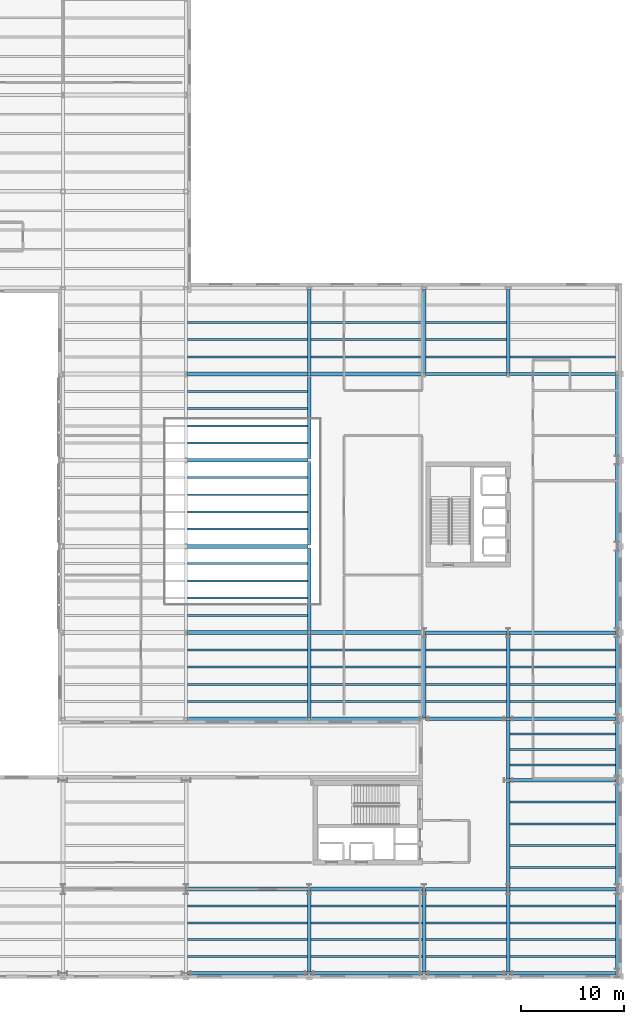
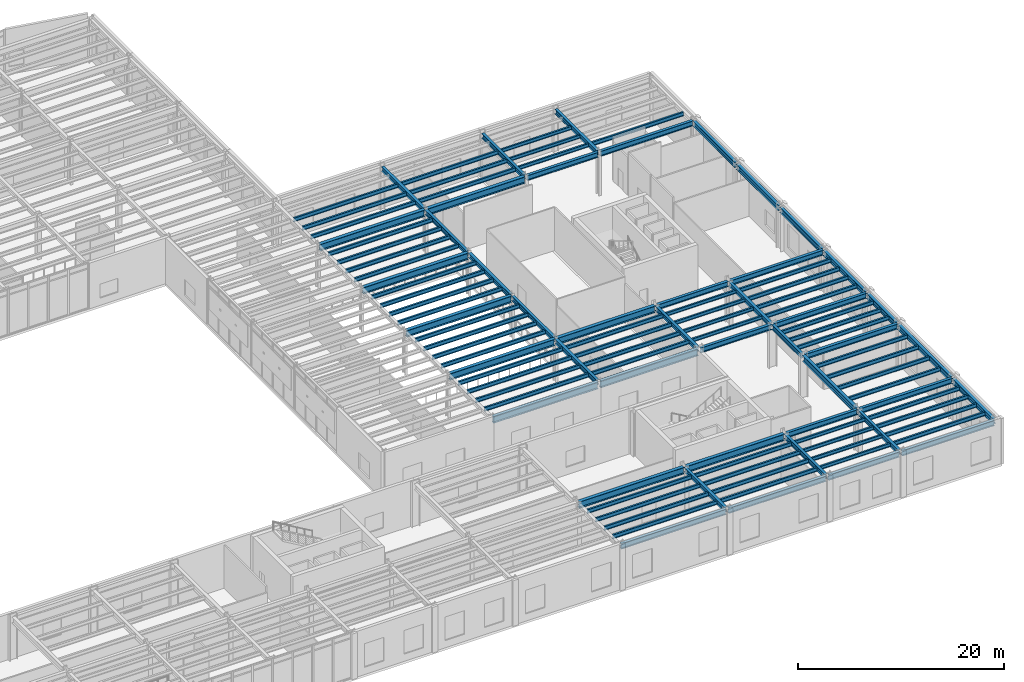
# One storey, part 66 of 98: 105 beams.
"""IFC4 building model written with IfcOpenShell, lengths in metres."""

from ifc_helpers import new_model, si_unit, direction, frame, origin, origin_2d, place, context, subcontext, project, spatial, i_section, extrude, material, material_profile, profile_set, type_object, element, save


model = new_model("IFC4")

# Units and contexts
model_context = context("Model", 3, precision=1e-05, world=origin(), true_north=direction((0.0, 1.0)))
body_context = subcontext(model_context, "Body", "Model", "MODEL_VIEW")
ifc_project = project(units=[si_unit("LENGTHUNIT", "METRE"), si_unit("AREAUNIT", "SQUARE_METRE"), si_unit("VOLUMEUNIT", "CUBIC_METRE"), si_unit("PLANEANGLEUNIT", "RADIAN"), si_unit("MASSUNIT", "GRAM", prefix="KILO")], contexts=[model_context])

# Site, building, storey
site_placement = place(None, origin())
site = spatial("IfcSite", under=ifc_project, at=site_placement, CompositionType="ELEMENT")
building_placement = place(site_placement, origin())
building = spatial("IfcBuilding", under=site, at=building_placement, Name="Sollismere Congress Hotel", CompositionType="ELEMENT")
storey_placement = place(building_placement, frame((0.0, 0.0, 5.39990234375)))
storey = spatial("IfcBuildingStorey", under=building, at=storey_placement, Name="L01", CompositionType="ELEMENT", Elevation=5.39990234375)

# Beams
ifc_material = material(Name="Steel ASTM A992 Grade 50", Category="steel")
ifc_material_profile_1 = material_profile(ifc_material, i_section(OverallWidth=0.31494140625, OverallDepth=0.551025390625, WebThickness=0.01513671875, FlangeThickness=0.0244140625, at=origin_2d()), Name="W21X122")
ifc_profile_set_1 = profile_set([ifc_material_profile_1], Name="Steel ASTM A992 Grade 50")
beam_type_1 = type_object("IfcBeamType", Name="BM-G21H", PredefinedType="BEAM", material=ifc_profile_set_1)
beam_1_placement = place(storey_placement, frame((136.0, 0.139892578125, 4.844482421875), z_axis=(0.0, 1.0, 0.0), x_axis=(-1.0, 0.0, 0.0)))
element("IfcBeam", 1, at=beam_1_placement, inside=storey, type_object=beam_type_1, Name="Beam BM-L01-1701", PredefinedType="BEAM", context=body_context, shape_type="SweptSolid", body=[
    extrude(i_section(OverallWidth=0.31494140625, OverallDepth=0.551025390625, WebThickness=0.01513671875, FlangeThickness=0.0244140625, at=origin_2d()), origin(), (0.0, 0.0, 1.0), 7.920166015625),
])
beam_2_placement = place(storey_placement, frame((136.0, 24.93994140625, 4.844482421875), z_axis=(0.0, 1.0, 0.0), x_axis=(-1.0, 0.0, 0.0)))
element("IfcBeam", 2, at=beam_2_placement, inside=storey, type_object=beam_type_1, Name="Beam BM-L01-1702", PredefinedType="BEAM", context=body_context, shape_type="SweptSolid", body=[
    extrude(i_section(OverallWidth=0.31494140625, OverallDepth=0.551025390625, WebThickness=0.01513671875, FlangeThickness=0.0244140625, at=origin_2d()), origin(), (0.0, 0.0, 1.0), 8.1201171875),
])
beam_3_placement = place(storey_placement, frame((136.0, 33.340087890625, 4.844482421875), z_axis=(0.0, 1.0, 0.0), x_axis=(-1.0, 0.0, 0.0)))
element("IfcBeam", 3, at=beam_3_placement, inside=storey, type_object=beam_type_1, Name="Beam BM-L01-1703", PredefinedType="BEAM", context=body_context, shape_type="SweptSolid", body=[
    extrude(i_section(OverallWidth=0.31494140625, OverallDepth=0.551025390625, WebThickness=0.01513671875, FlangeThickness=0.0244140625, at=origin_2d()), origin(), (0.0, 0.0, 1.0), 8.119873046875),
])
for number, where, z_axis, x_axis, name in (
    (4, (136.0, 41.739990234375, 4.844482421875), (0.0, 1.0, 0.0), (-1.0, 0.0, 0.0), "Beam BM-L01-1704"),
    (5, (136.0, 50.139892578125, 4.844482421875), (0.0, 1.0, 0.0), (-1.0, 0.0, 0.0), "Beam BM-L01-1705"),
):
    element("IfcBeam", number, at=place(storey_placement, frame(where, z_axis=z_axis, x_axis=x_axis)), inside=storey, type_object=beam_type_1, Name=name, PredefinedType="BEAM", context=body_context, shape_type="SweptSolid", body=[
        extrude(i_section(OverallWidth=0.31494140625, OverallDepth=0.551025390625, WebThickness=0.01513671875, FlangeThickness=0.0244140625, at=origin_2d()), origin(), (0.0, 0.0, 1.0), 8.1201171875),
    ])
beam_4_placement = place(storey_placement, frame((136.0, 58.5400390625, 4.844482421875), z_axis=(0.0, 1.0, 0.0), x_axis=(-1.0, 0.0, 0.0)))
element("IfcBeam", 6, at=beam_4_placement, inside=storey, type_object=beam_type_1, Name="Beam BM-L01-1706", PredefinedType="BEAM", context=body_context, shape_type="SweptSolid", body=[
    extrude(i_section(OverallWidth=0.31494140625, OverallDepth=0.551025390625, WebThickness=0.01513671875, FlangeThickness=0.0244140625, at=origin_2d()), origin(), (0.0, 0.0, 1.0), 8.119873046875),
])
beam_5_placement = place(storey_placement, frame((147.199951171875, 0.139892578125, 4.844482421875), z_axis=(0.0, 1.0, 0.0), x_axis=(-1.0, 0.0, 0.0)))
element("IfcBeam", 7, at=beam_5_placement, inside=storey, type_object=beam_type_1, Name="Beam BM-L01-1707", PredefinedType="BEAM", context=body_context, shape_type="SweptSolid", body=[
    extrude(i_section(OverallWidth=0.31494140625, OverallDepth=0.551025390625, WebThickness=0.01513671875, FlangeThickness=0.0244140625, at=origin_2d()), origin(), (0.0, 0.0, 1.0), 7.920166015625),
])
beam_6_placement = place(storey_placement, frame((147.199951171875, 24.93994140625, 4.844482421875), z_axis=(0.0, 1.0, 0.0), x_axis=(-1.0, 0.0, 0.0)))
element("IfcBeam", 8, at=beam_6_placement, inside=storey, type_object=beam_type_1, Name="Beam BM-L01-1708", PredefinedType="BEAM", context=body_context, shape_type="SweptSolid", body=[
    extrude(i_section(OverallWidth=0.31494140625, OverallDepth=0.551025390625, WebThickness=0.01513671875, FlangeThickness=0.0244140625, at=origin_2d()), origin(), (0.0, 0.0, 1.0), 8.1201171875),
])
beam_7_placement = place(storey_placement, frame((147.199951171875, 58.5400390625, 4.844482421875), z_axis=(0.0, 1.0, 0.0), x_axis=(-1.0, 0.0, 0.0)))
element("IfcBeam", 9, at=beam_7_placement, inside=storey, type_object=beam_type_1, Name="Beam BM-L01-1709", PredefinedType="BEAM", context=body_context, shape_type="SweptSolid", body=[
    extrude(i_section(OverallWidth=0.31494140625, OverallDepth=0.551025390625, WebThickness=0.01513671875, FlangeThickness=0.0244140625, at=origin_2d()), origin(), (0.0, 0.0, 1.0), 8.119873046875),
])
beam_8_placement = place(storey_placement, frame((155.39990234375, 0.139892578125, 4.844482421875), z_axis=(0.0, 1.0, 0.0), x_axis=(-1.0, 0.0, 0.0)))
element("IfcBeam", 10, at=beam_8_placement, inside=storey, type_object=beam_type_1, Name="Beam BM-L01-1710", PredefinedType="BEAM", context=body_context, shape_type="SweptSolid", body=[
    extrude(i_section(OverallWidth=0.31494140625, OverallDepth=0.551025390625, WebThickness=0.01513671875, FlangeThickness=0.0244140625, at=origin_2d()), origin(), (0.0, 0.0, 1.0), 7.920166015625),
])
beam_9_placement = place(storey_placement, frame((155.39990234375, 18.93994140625, 4.844482421875), z_axis=(0.0, 1.0, 0.0), x_axis=(-1.0, 0.0, 0.0)))
element("IfcBeam", 11, at=beam_9_placement, inside=storey, type_object=beam_type_1, Name="Beam BM-L01-1712", PredefinedType="BEAM", context=body_context, shape_type="SweptSolid", body=[
    extrude(i_section(OverallWidth=0.31494140625, OverallDepth=0.551025390625, WebThickness=0.01513671875, FlangeThickness=0.0244140625, at=origin_2d()), origin(), (0.0, 0.0, 1.0), 5.719970703125),
])
beam_10_placement = place(storey_placement, frame((155.39990234375, 24.93994140625, 4.844482421875), z_axis=(0.0, 1.0, 0.0), x_axis=(-1.0, 0.0, 0.0)))
element("IfcBeam", 12, at=beam_10_placement, inside=storey, type_object=beam_type_1, Name="Beam BM-L01-1713", PredefinedType="BEAM", context=body_context, shape_type="SweptSolid", body=[
    extrude(i_section(OverallWidth=0.31494140625, OverallDepth=0.551025390625, WebThickness=0.01513671875, FlangeThickness=0.0244140625, at=origin_2d()), origin(), (0.0, 0.0, 1.0), 8.1201171875),
])
beam_11_placement = place(storey_placement, frame((155.39990234375, 58.5400390625, 4.844482421875), z_axis=(0.0, 1.0, 0.0), x_axis=(-1.0, 0.0, 0.0)))
element("IfcBeam", 13, at=beam_11_placement, inside=storey, type_object=beam_type_1, Name="Beam BM-L01-1714", PredefinedType="BEAM", context=body_context, shape_type="SweptSolid", body=[
    extrude(i_section(OverallWidth=0.31494140625, OverallDepth=0.551025390625, WebThickness=0.01513671875, FlangeThickness=0.0244140625, at=origin_2d()), origin(), (0.0, 0.0, 1.0), 8.119873046875),
])
ifc_material_profile_2 = material_profile(ifc_material, i_section(OverallWidth=0.324951171875, OverallDepth=0.612060546875, WebThickness=0.0126953125, FlangeThickness=0.01904296875, at=origin_2d()), Name="W24X104")
ifc_profile_set_2 = profile_set([ifc_material_profile_2], Name="Steel ASTM A992 Grade 50")
beam_type_2 = type_object("IfcBeamType", Name="BM-G24", PredefinedType="BEAM", material=ifc_profile_set_2)
beam_12_placement = place(storey_placement, frame((147.340087890625, 8.199951171875, 4.814208984375), z_axis=(1.0, 0.0, 0.0), x_axis=(0.0, 1.0, 0.0)))
element("IfcBeam", 14, at=beam_12_placement, inside=storey, type_object=beam_type_2, Name="Beam BM-L01-1548", PredefinedType="BEAM", context=body_context, shape_type="SweptSolid", body=[
    extrude(i_section(OverallWidth=0.324951171875, OverallDepth=0.612060546875, WebThickness=0.0126953125, FlangeThickness=0.01904296875, at=origin_2d()), origin(), (0.0, 0.0, 1.0), 7.919921875),
])
for number, where, z_axis, x_axis, name in (
    (15, (155.5400390625, 8.199951171875, 4.814208984375), (1.0, 0.0, 0.0), (0.0, 1.0, 0.0), "Beam BM-L01-1549"),
    (16, (155.5400390625, 18.800048828125, 4.814208984375), (1.0, 0.0, 0.0), (0.0, 1.0, 0.0), "Beam BM-L01-1554"),
):
    element("IfcBeam", number, at=place(storey_placement, frame(where, z_axis=z_axis, x_axis=x_axis)), inside=storey, type_object=beam_type_2, Name=name, PredefinedType="BEAM", context=body_context, shape_type="SweptSolid", body=[
        extrude(i_section(OverallWidth=0.324951171875, OverallDepth=0.612060546875, WebThickness=0.0126953125, FlangeThickness=0.01904296875, at=origin_2d()), origin(), (0.0, 0.0, 1.0), 10.320068359375),
    ])
beam_13_placement = place(storey_placement, frame((147.340087890625, 24.800048828125, 4.814208984375), z_axis=(1.0, 0.0, 0.0), x_axis=(0.0, 1.0, 0.0)))
element("IfcBeam", 17, at=beam_13_placement, inside=storey, type_object=beam_type_2, Name="Beam BM-L01-1561", PredefinedType="BEAM", context=body_context, shape_type="SweptSolid", body=[
    extrude(i_section(OverallWidth=0.324951171875, OverallDepth=0.612060546875, WebThickness=0.0126953125, FlangeThickness=0.01904296875, at=origin_2d()), origin(), (0.0, 0.0, 1.0), 7.919921875),
])
beam_14_placement = place(storey_placement, frame((155.5400390625, 24.800048828125, 4.814208984375), z_axis=(1.0, 0.0, 0.0), x_axis=(0.0, 1.0, 0.0)))
element("IfcBeam", 18, at=beam_14_placement, inside=storey, type_object=beam_type_2, Name="Beam BM-L01-1562", PredefinedType="BEAM", context=body_context, shape_type="SweptSolid", body=[
    extrude(i_section(OverallWidth=0.324951171875, OverallDepth=0.612060546875, WebThickness=0.0126953125, FlangeThickness=0.01904296875, at=origin_2d()), origin(), (0.0, 0.0, 1.0), 10.320068359375),
])
beam_15_placement = place(storey_placement, frame((147.340087890625, 33.199951171875, 4.814208984375), z_axis=(1.0, 0.0, 0.0), x_axis=(0.0, 1.0, 0.0)))
element("IfcBeam", 19, at=beam_15_placement, inside=storey, type_object=beam_type_2, Name="Beam BM-L01-1569", PredefinedType="BEAM", context=body_context, shape_type="SweptSolid", body=[
    extrude(i_section(OverallWidth=0.324951171875, OverallDepth=0.612060546875, WebThickness=0.0126953125, FlangeThickness=0.01904296875, at=origin_2d()), origin(), (0.0, 0.0, 1.0), 7.919921875),
])
beam_16_placement = place(storey_placement, frame((155.5400390625, 33.199951171875, 4.814208984375), z_axis=(1.0, 0.0, 0.0), x_axis=(0.0, 1.0, 0.0)))
element("IfcBeam", 20, at=beam_16_placement, inside=storey, type_object=beam_type_2, Name="Beam BM-L01-1570", PredefinedType="BEAM", context=body_context, shape_type="SweptSolid", body=[
    extrude(i_section(OverallWidth=0.324951171875, OverallDepth=0.612060546875, WebThickness=0.0126953125, FlangeThickness=0.01904296875, at=origin_2d()), origin(), (0.0, 0.0, 1.0), 10.320068359375),
])
beam_17_placement = place(storey_placement, frame((147.340087890625, 58.39990234375, 4.814208984375), z_axis=(1.0, 0.0, 0.0), x_axis=(0.0, 1.0, 0.0)))
element("IfcBeam", 21, at=beam_17_placement, inside=storey, type_object=beam_type_2, Name="Beam BM-L01-1585", PredefinedType="BEAM", context=body_context, shape_type="SweptSolid", body=[
    extrude(i_section(OverallWidth=0.324951171875, OverallDepth=0.612060546875, WebThickness=0.0126953125, FlangeThickness=0.01904296875, at=origin_2d()), origin(), (0.0, 0.0, 1.0), 7.919921875),
])
beam_18_placement = place(storey_placement, frame((155.5400390625, 58.39990234375, 4.814208984375), z_axis=(1.0, 0.0, 0.0), x_axis=(0.0, 1.0, 0.0)))
element("IfcBeam", 22, at=beam_18_placement, inside=storey, type_object=beam_type_2, Name="Beam BM-L01-1586", PredefinedType="BEAM", context=body_context, shape_type="SweptSolid", body=[
    extrude(i_section(OverallWidth=0.324951171875, OverallDepth=0.612060546875, WebThickness=0.0126953125, FlangeThickness=0.01904296875, at=origin_2d()), origin(), (0.0, 0.0, 1.0), 10.320068359375),
])
ifc_material_profile_3 = material_profile(ifc_material, i_section(OverallWidth=0.35595703125, OverallDepth=0.696044921875, WebThickness=0.015380859375, FlangeThickness=0.025146484375, at=origin_2d()), Name="W27X146")
ifc_profile_set_3 = profile_set([ifc_material_profile_3], Name="Steel ASTM A992 Grade 50")
beam_type_3 = type_object("IfcBeamType", Name="BM-G27", PredefinedType="BEAM", material=ifc_profile_set_3)
beam_19_placement = place(storey_placement, frame((155.39990234375, 8.340087890625, 4.772216796875), z_axis=(0.0, 1.0, 0.0), x_axis=(-1.0, 0.0, 0.0)))
element("IfcBeam", 23, at=beam_19_placement, inside=storey, type_object=beam_type_3, Name="Beam BM-L01-1711", PredefinedType="BEAM", context=body_context, shape_type="SweptSolid", body=[
    extrude(i_section(OverallWidth=0.35595703125, OverallDepth=0.696044921875, WebThickness=0.015380859375, FlangeThickness=0.025146484375, at=origin_2d()), origin(), (0.0, 0.0, 1.0), 10.31982421875),
])
ifc_material_profile_4 = material_profile(ifc_material, i_section(OverallWidth=0.384033203125, OverallDepth=0.787109375, WebThickness=0.019775390625, FlangeThickness=0.033447265625, at=origin_2d()), Name="W30X211")
ifc_profile_set_4 = profile_set([ifc_material_profile_4], Name="Steel ASTM A992 Grade 50")
beam_type_4 = type_object("IfcBeamType", Name="BM-G30", PredefinedType="BEAM", material=ifc_profile_set_4)
beam_20_placement = place(storey_placement, frame((124.139892578125, 8.199951171875, 4.7265625), z_axis=(1.0, 0.0, 0.0), x_axis=(0.0, 1.0, 0.0)))
element("IfcBeam", 24, at=beam_20_placement, inside=storey, type_object=beam_type_4, Name="Beam BM-L01-1546", PredefinedType="BEAM", context=body_context, shape_type="SweptSolid", body=[
    extrude(i_section(OverallWidth=0.384033203125, OverallDepth=0.787109375, WebThickness=0.019775390625, FlangeThickness=0.033447265625, at=origin_2d()), origin(), (0.0, 0.0, 1.0), 11.72021484375),
])
beam_21_placement = place(storey_placement, frame((136.139892578125, 8.199951171875, 4.7265625), z_axis=(1.0, 0.0, 0.0), x_axis=(0.0, 1.0, 0.0)))
element("IfcBeam", 25, at=beam_21_placement, inside=storey, type_object=beam_type_4, Name="Beam BM-L01-1547", PredefinedType="BEAM", context=body_context, shape_type="SweptSolid", body=[
    extrude(i_section(OverallWidth=0.384033203125, OverallDepth=0.787109375, WebThickness=0.019775390625, FlangeThickness=0.033447265625, at=origin_2d()), origin(), (0.0, 0.0, 1.0), 10.920166015625),
])
beam_22_placement = place(storey_placement, frame((124.139892578125, 24.800048828125, 4.7265625), z_axis=(1.0, 0.0, 0.0), x_axis=(0.0, 1.0, 0.0)))
element("IfcBeam", 26, at=beam_22_placement, inside=storey, type_object=beam_type_4, Name="Beam BM-L01-1559", PredefinedType="BEAM", context=body_context, shape_type="SweptSolid", body=[
    extrude(i_section(OverallWidth=0.384033203125, OverallDepth=0.787109375, WebThickness=0.019775390625, FlangeThickness=0.033447265625, at=origin_2d()), origin(), (0.0, 0.0, 1.0), 11.72021484375),
])
beam_23_placement = place(storey_placement, frame((136.139892578125, 24.800048828125, 4.7265625), z_axis=(1.0, 0.0, 0.0), x_axis=(0.0, 1.0, 0.0)))
element("IfcBeam", 27, at=beam_23_placement, inside=storey, type_object=beam_type_4, Name="Beam BM-L01-1560", PredefinedType="BEAM", context=body_context, shape_type="SweptSolid", body=[
    extrude(i_section(OverallWidth=0.384033203125, OverallDepth=0.787109375, WebThickness=0.019775390625, FlangeThickness=0.033447265625, at=origin_2d()), origin(), (0.0, 0.0, 1.0), 10.920166015625),
])
beam_24_placement = place(storey_placement, frame((124.139892578125, 33.199951171875, 4.7265625), z_axis=(1.0, 0.0, 0.0), x_axis=(0.0, 1.0, 0.0)))
element("IfcBeam", 28, at=beam_24_placement, inside=storey, type_object=beam_type_4, Name="Beam BM-L01-1567", PredefinedType="BEAM", context=body_context, shape_type="SweptSolid", body=[
    extrude(i_section(OverallWidth=0.384033203125, OverallDepth=0.787109375, WebThickness=0.019775390625, FlangeThickness=0.033447265625, at=origin_2d()), origin(), (0.0, 0.0, 1.0), 11.72021484375),
])
beam_25_placement = place(storey_placement, frame((136.139892578125, 33.199951171875, 4.7265625), z_axis=(1.0, 0.0, 0.0), x_axis=(0.0, 1.0, 0.0)))
element("IfcBeam", 29, at=beam_25_placement, inside=storey, type_object=beam_type_4, Name="Beam BM-L01-1568", PredefinedType="BEAM", context=body_context, shape_type="SweptSolid", body=[
    extrude(i_section(OverallWidth=0.384033203125, OverallDepth=0.787109375, WebThickness=0.019775390625, FlangeThickness=0.033447265625, at=origin_2d()), origin(), (0.0, 0.0, 1.0), 10.920166015625),
])
for number, where, z_axis, x_axis, name in (
    (30, (124.139892578125, 41.60009765625, 4.7265625), (1.0, 0.0, 0.0), (0.0, 1.0, 0.0), "Beam BM-L01-1575"),
    (31, (124.139892578125, 50.0, 4.7265625), (1.0, 0.0, 0.0), (0.0, 1.0, 0.0), "Beam BM-L01-1580"),
    (32, (124.139892578125, 58.39990234375, 4.7265625), (1.0, 0.0, 0.0), (0.0, 1.0, 0.0), "Beam BM-L01-1583"),
):
    element("IfcBeam", number, at=place(storey_placement, frame(where, z_axis=z_axis, x_axis=x_axis)), inside=storey, type_object=beam_type_4, Name=name, PredefinedType="BEAM", context=body_context, shape_type="SweptSolid", body=[
        extrude(i_section(OverallWidth=0.384033203125, OverallDepth=0.787109375, WebThickness=0.019775390625, FlangeThickness=0.033447265625, at=origin_2d()), origin(), (0.0, 0.0, 1.0), 11.72021484375),
    ])
beam_26_placement = place(storey_placement, frame((136.139892578125, 58.39990234375, 4.7265625), z_axis=(1.0, 0.0, 0.0), x_axis=(0.0, 1.0, 0.0)))
element("IfcBeam", 33, at=beam_26_placement, inside=storey, type_object=beam_type_4, Name="Beam BM-L01-1584", PredefinedType="BEAM", context=body_context, shape_type="SweptSolid", body=[
    extrude(i_section(OverallWidth=0.384033203125, OverallDepth=0.787109375, WebThickness=0.019775390625, FlangeThickness=0.033447265625, at=origin_2d()), origin(), (0.0, 0.0, 1.0), 10.920166015625),
])
ifc_material_profile_5 = material_profile(ifc_material, i_section(OverallWidth=0.180908203125, OverallDepth=0.4169921875, WebThickness=0.010986328125, FlangeThickness=0.018310546875, at=origin_2d()), Name="W16X57")
ifc_profile_set_5 = profile_set([ifc_material_profile_5], Name="Steel ASTM A992 Grade 50")
beam_type_5 = type_object("IfcBeamType", Name="BM-J16", PredefinedType="JOIST", material=ifc_profile_set_5)
for number, where, z_axis, x_axis, name in (
    (34, (147.357421875, 1.639892578125, 4.91162109375), (1.0, 0.0, 0.0), (0.0, 1.0, 0.0), "Beam BM-L01-1940"),
    (35, (147.357421875, 3.280029296875, 4.91162109375), (1.0, 0.0, 0.0), (0.0, 1.0, 0.0), "Beam BM-L01-1941"),
    (36, (147.357421875, 4.919921875, 4.91162109375), (1.0, 0.0, 0.0), (0.0, 1.0, 0.0), "Beam BM-L01-1942"),
    (37, (147.357421875, 6.56005859375, 4.91162109375), (1.0, 0.0, 0.0), (0.0, 1.0, 0.0), "Beam BM-L01-1943"),
    (38, (147.357421875, 26.47998046875, 4.91162109375), (1.0, 0.0, 0.0), (0.0, 1.0, 0.0), "Beam BM-L01-1944"),
    (39, (147.357421875, 28.159912109375, 4.91162109375), (1.0, 0.0, 0.0), (0.0, 1.0, 0.0), "Beam BM-L01-1945"),
    (40, (147.357421875, 29.840087890625, 4.91162109375), (1.0, 0.0, 0.0), (0.0, 1.0, 0.0), "Beam BM-L01-1946"),
    (41, (147.357421875, 31.52001953125, 4.91162109375), (1.0, 0.0, 0.0), (0.0, 1.0, 0.0), "Beam BM-L01-1947"),
    (42, (147.357421875, 60.080078125, 4.91162109375), (1.0, 0.0, 0.0), (0.0, 1.0, 0.0), "Beam BM-L01-1948"),
    (43, (147.357421875, 61.760009765625, 4.91162109375), (1.0, 0.0, 0.0), (0.0, 1.0, 0.0), "Beam BM-L01-1949"),
    (44, (147.357421875, 63.43994140625, 4.91162109375), (1.0, 0.0, 0.0), (0.0, 1.0, 0.0), "Beam BM-L01-1950"),
):
    element("IfcBeam", number, at=place(storey_placement, frame(where, z_axis=z_axis, x_axis=x_axis)), inside=storey, type_object=beam_type_5, Name=name, PredefinedType="JOIST", context=body_context, shape_type="SweptSolid", body=[
        extrude(i_section(OverallWidth=0.180908203125, OverallDepth=0.4169921875, WebThickness=0.010986328125, FlangeThickness=0.018310546875, at=origin_2d()), origin(), (0.0, 0.0, 1.0), 7.885009765625),
    ])
ifc_material_profile_6 = material_profile(ifc_material, i_section(OverallWidth=0.193115234375, OverallDepth=0.467041015625, WebThickness=0.011474609375, FlangeThickness=0.01904296875, at=origin_2d()), Name="W18X65")
ifc_profile_set_6 = profile_set([ifc_material_profile_6], Name="Steel ASTM A992 Grade 50")
beam_type_6 = type_object("IfcBeamType", Name="BM-J18", PredefinedType="JOIST", material=ifc_profile_set_6)
for number, where, z_axis, x_axis, name in (
    (45, (124.157470703125, 1.639892578125, 4.88671875), (1.0, 0.0, 0.0), (0.0, 1.0, 0.0), "Beam BM-L01-1904"),
    (46, (124.157470703125, 3.280029296875, 4.88671875), (1.0, 0.0, 0.0), (0.0, 1.0, 0.0), "Beam BM-L01-1905"),
    (47, (124.157470703125, 4.919921875, 4.88671875), (1.0, 0.0, 0.0), (0.0, 1.0, 0.0), "Beam BM-L01-1906"),
    (48, (124.157470703125, 6.56005859375, 4.88671875), (1.0, 0.0, 0.0), (0.0, 1.0, 0.0), "Beam BM-L01-1907"),
    (49, (124.157470703125, 26.47998046875, 4.88671875), (1.0, 0.0, 0.0), (0.0, 1.0, 0.0), "Beam BM-L01-1908"),
    (50, (124.157470703125, 28.159912109375, 4.88671875), (1.0, 0.0, 0.0), (0.0, 1.0, 0.0), "Beam BM-L01-1909"),
    (51, (124.157470703125, 29.840087890625, 4.88671875), (1.0, 0.0, 0.0), (0.0, 1.0, 0.0), "Beam BM-L01-1910"),
    (52, (124.157470703125, 31.52001953125, 4.88671875), (1.0, 0.0, 0.0), (0.0, 1.0, 0.0), "Beam BM-L01-1911"),
    (53, (124.157470703125, 34.8798828125, 4.88671875), (1.0, 0.0, 0.0), (0.0, 1.0, 0.0), "Beam BM-L01-1912"),
    (54, (124.157470703125, 36.56005859375, 4.88671875), (1.0, 0.0, 0.0), (0.0, 1.0, 0.0), "Beam BM-L01-1913"),
    (55, (124.157470703125, 38.239990234375, 4.88671875), (1.0, 0.0, 0.0), (0.0, 1.0, 0.0), "Beam BM-L01-1914"),
    (56, (124.157470703125, 39.919921875, 4.88671875), (1.0, 0.0, 0.0), (0.0, 1.0, 0.0), "Beam BM-L01-1915"),
    (57, (124.157470703125, 43.280029296875, 4.88671875), (1.0, 0.0, 0.0), (0.0, 1.0, 0.0), "Beam BM-L01-1916"),
    (58, (124.157470703125, 44.9599609375, 4.88671875), (1.0, 0.0, 0.0), (0.0, 1.0, 0.0), "Beam BM-L01-1917"),
    (59, (124.157470703125, 46.639892578125, 4.88671875), (1.0, 0.0, 0.0), (0.0, 1.0, 0.0), "Beam BM-L01-1918"),
    (60, (124.157470703125, 48.320068359375, 4.88671875), (1.0, 0.0, 0.0), (0.0, 1.0, 0.0), "Beam BM-L01-1919"),
    (61, (124.157470703125, 51.679931640625, 4.88671875), (1.0, 0.0, 0.0), (0.0, 1.0, 0.0), "Beam BM-L01-1920"),
    (62, (124.157470703125, 53.360107421875, 4.88671875), (1.0, 0.0, 0.0), (0.0, 1.0, 0.0), "Beam BM-L01-1921"),
    (63, (124.157470703125, 55.0400390625, 4.88671875), (1.0, 0.0, 0.0), (0.0, 1.0, 0.0), "Beam BM-L01-1922"),
    (64, (124.157470703125, 56.719970703125, 4.88671875), (1.0, 0.0, 0.0), (0.0, 1.0, 0.0), "Beam BM-L01-1923"),
    (65, (124.157470703125, 60.080078125, 4.88671875), (1.0, 0.0, 0.0), (0.0, 1.0, 0.0), "Beam BM-L01-1924"),
    (66, (124.157470703125, 61.760009765625, 4.88671875), (1.0, 0.0, 0.0), (0.0, 1.0, 0.0), "Beam BM-L01-1925"),
    (67, (124.157470703125, 63.43994140625, 4.88671875), (1.0, 0.0, 0.0), (0.0, 1.0, 0.0), "Beam BM-L01-1926"),
):
    element("IfcBeam", number, at=place(storey_placement, frame(where, z_axis=z_axis, x_axis=x_axis)), inside=storey, type_object=beam_type_6, Name=name, PredefinedType="JOIST", context=body_context, shape_type="SweptSolid", body=[
        extrude(i_section(OverallWidth=0.193115234375, OverallDepth=0.467041015625, WebThickness=0.011474609375, FlangeThickness=0.01904296875, at=origin_2d()), origin(), (0.0, 0.0, 1.0), 11.68505859375),
    ])
for number, where, z_axis, x_axis, name in (
    (68, (136.157470703125, 1.639892578125, 4.88671875), (1.0, 0.0, 0.0), (0.0, 1.0, 0.0), "Beam BM-L01-1928"),
    (69, (136.157470703125, 3.280029296875, 4.88671875), (1.0, 0.0, 0.0), (0.0, 1.0, 0.0), "Beam BM-L01-1929"),
    (70, (136.157470703125, 4.919921875, 4.88671875), (1.0, 0.0, 0.0), (0.0, 1.0, 0.0), "Beam BM-L01-1930"),
    (71, (136.157470703125, 6.56005859375, 4.88671875), (1.0, 0.0, 0.0), (0.0, 1.0, 0.0), "Beam BM-L01-1931"),
    (72, (136.157470703125, 26.47998046875, 4.88671875), (1.0, 0.0, 0.0), (0.0, 1.0, 0.0), "Beam BM-L01-1932"),
    (73, (136.157470703125, 28.159912109375, 4.88671875), (1.0, 0.0, 0.0), (0.0, 1.0, 0.0), "Beam BM-L01-1933"),
    (74, (136.157470703125, 29.840087890625, 4.88671875), (1.0, 0.0, 0.0), (0.0, 1.0, 0.0), "Beam BM-L01-1934"),
    (75, (136.157470703125, 31.52001953125, 4.88671875), (1.0, 0.0, 0.0), (0.0, 1.0, 0.0), "Beam BM-L01-1935"),
    (76, (136.157470703125, 60.080078125, 4.88671875), (1.0, 0.0, 0.0), (0.0, 1.0, 0.0), "Beam BM-L01-1936"),
    (77, (136.157470703125, 61.760009765625, 4.88671875), (1.0, 0.0, 0.0), (0.0, 1.0, 0.0), "Beam BM-L01-1937"),
    (78, (136.157470703125, 63.43994140625, 4.88671875), (1.0, 0.0, 0.0), (0.0, 1.0, 0.0), "Beam BM-L01-1938"),
):
    element("IfcBeam", number, at=place(storey_placement, frame(where, z_axis=z_axis, x_axis=x_axis)), inside=storey, type_object=beam_type_6, Name=name, PredefinedType="JOIST", context=body_context, shape_type="SweptSolid", body=[
        extrude(i_section(OverallWidth=0.193115234375, OverallDepth=0.467041015625, WebThickness=0.011474609375, FlangeThickness=0.01904296875, at=origin_2d()), origin(), (0.0, 0.0, 1.0), 10.885009765625),
    ])
for number, where, z_axis, x_axis, name in (
    (79, (155.5576171875, 1.639892578125, 4.88671875), (1.0, 0.0, 0.0), (0.0, 1.0, 0.0), "Beam BM-L01-1952"),
    (80, (155.5576171875, 3.280029296875, 4.88671875), (1.0, 0.0, 0.0), (0.0, 1.0, 0.0), "Beam BM-L01-1953"),
    (81, (155.5576171875, 4.919921875, 4.88671875), (1.0, 0.0, 0.0), (0.0, 1.0, 0.0), "Beam BM-L01-1954"),
    (82, (155.5576171875, 6.56005859375, 4.88671875), (1.0, 0.0, 0.0), (0.0, 1.0, 0.0), "Beam BM-L01-1955"),
):
    element("IfcBeam", number, at=place(storey_placement, frame(where, z_axis=z_axis, x_axis=x_axis)), inside=storey, type_object=beam_type_6, Name=name, PredefinedType="JOIST", context=body_context, shape_type="SweptSolid", body=[
        extrude(i_section(OverallWidth=0.193115234375, OverallDepth=0.467041015625, WebThickness=0.011474609375, FlangeThickness=0.01904296875, at=origin_2d()), origin(), (0.0, 0.0, 1.0), 10.27734375),
    ])
for number, where, z_axis, x_axis, name in (
    (83, (155.577880859375, 10.320068359375, 4.88671875), (1.0, 0.0, 0.0), (0.0, 1.0, 0.0), "Beam BM-L01-1956"),
    (84, (155.577880859375, 12.43994140625, 4.88671875), (1.0, 0.0, 0.0), (0.0, 1.0, 0.0), "Beam BM-L01-1957"),
    (85, (155.577880859375, 14.56005859375, 4.88671875), (1.0, 0.0, 0.0), (0.0, 1.0, 0.0), "Beam BM-L01-1958"),
    (86, (155.577880859375, 16.679931640625, 4.88671875), (1.0, 0.0, 0.0), (0.0, 1.0, 0.0), "Beam BM-L01-1959"),
):
    element("IfcBeam", number, at=place(storey_placement, frame(where, z_axis=z_axis, x_axis=x_axis)), inside=storey, type_object=beam_type_6, Name=name, PredefinedType="JOIST", context=body_context, shape_type="SweptSolid", body=[
        extrude(i_section(OverallWidth=0.193115234375, OverallDepth=0.467041015625, WebThickness=0.011474609375, FlangeThickness=0.01904296875, at=origin_2d()), origin(), (0.0, 0.0, 1.0), 10.257080078125),
    ])
for number, where, z_axis, x_axis, name in (
    (87, (155.5576171875, 20.300048828125, 4.88671875), (1.0, 0.0, 0.0), (0.0, 1.0, 0.0), "Beam BM-L01-1960"),
    (88, (155.5576171875, 21.800048828125, 4.88671875), (1.0, 0.0, 0.0), (0.0, 1.0, 0.0), "Beam BM-L01-1961"),
    (89, (155.5576171875, 23.300048828125, 4.88671875), (1.0, 0.0, 0.0), (0.0, 1.0, 0.0), "Beam BM-L01-1962"),
    (90, (155.5576171875, 26.47998046875, 4.88671875), (1.0, 0.0, 0.0), (0.0, 1.0, 0.0), "Beam BM-L01-1963"),
    (91, (155.5576171875, 28.159912109375, 4.88671875), (1.0, 0.0, 0.0), (0.0, 1.0, 0.0), "Beam BM-L01-1964"),
    (92, (155.5576171875, 29.840087890625, 4.88671875), (1.0, 0.0, 0.0), (0.0, 1.0, 0.0), "Beam BM-L01-1965"),
    (93, (155.5576171875, 31.52001953125, 4.88671875), (1.0, 0.0, 0.0), (0.0, 1.0, 0.0), "Beam BM-L01-1966"),
    (94, (155.5576171875, 60.080078125, 4.88671875), (1.0, 0.0, 0.0), (0.0, 1.0, 0.0), "Beam BM-L01-1967"),
):
    element("IfcBeam", number, at=place(storey_placement, frame(where, z_axis=z_axis, x_axis=x_axis)), inside=storey, type_object=beam_type_6, Name=name, PredefinedType="JOIST", context=body_context, shape_type="SweptSolid", body=[
        extrude(i_section(OverallWidth=0.193115234375, OverallDepth=0.467041015625, WebThickness=0.011474609375, FlangeThickness=0.01904296875, at=origin_2d()), origin(), (0.0, 0.0, 1.0), 10.27734375),
    ])
ifc_material_profile_7 = material_profile(ifc_material, i_section(OverallWidth=0.330078125, OverallDepth=0.635009765625, WebThickness=0.017822265625, FlangeThickness=0.031005859375, at=origin_2d()), Name="W24X162")
ifc_profile_set_7 = profile_set([ifc_material_profile_7], Name="Steel ASTM A992 Grade 50")
beam_type_7 = type_object("IfcBeamType", Name="BM-SP24E", PredefinedType="SPANDREL", material=ifc_profile_set_7)
beam_27_placement = place(storey_placement, frame((124.139892578125, 0.0, 4.802490234375), z_axis=(1.0, 0.0, 0.0), x_axis=(0.0, 1.0, 0.0)))
element("IfcBeam", 95, at=beam_27_placement, inside=storey, type_object=beam_type_7, Name="Beam BM-L01-1532", PredefinedType="SPANDREL", context=body_context, shape_type="SweptSolid", body=[
    extrude(i_section(OverallWidth=0.330078125, OverallDepth=0.635009765625, WebThickness=0.017822265625, FlangeThickness=0.031005859375, at=origin_2d()), origin(), (0.0, 0.0, 1.0), 11.72021484375),
])
beam_28_placement = place(storey_placement, frame((136.139892578125, 0.0, 4.802490234375), z_axis=(1.0, 0.0, 0.0), x_axis=(0.0, 1.0, 0.0)))
element("IfcBeam", 96, at=beam_28_placement, inside=storey, type_object=beam_type_7, Name="Beam BM-L01-1533", PredefinedType="SPANDREL", context=body_context, shape_type="SweptSolid", body=[
    extrude(i_section(OverallWidth=0.330078125, OverallDepth=0.635009765625, WebThickness=0.017822265625, FlangeThickness=0.031005859375, at=origin_2d()), origin(), (0.0, 0.0, 1.0), 10.920166015625),
])
beam_29_placement = place(storey_placement, frame((147.340087890625, 0.0, 4.802490234375), z_axis=(1.0, 0.0, 0.0), x_axis=(0.0, 1.0, 0.0)))
element("IfcBeam", 97, at=beam_29_placement, inside=storey, type_object=beam_type_7, Name="Beam BM-L01-1534", PredefinedType="SPANDREL", context=body_context, shape_type="SweptSolid", body=[
    extrude(i_section(OverallWidth=0.330078125, OverallDepth=0.635009765625, WebThickness=0.017822265625, FlangeThickness=0.031005859375, at=origin_2d()), origin(), (0.0, 0.0, 1.0), 7.919921875),
])
beam_30_placement = place(storey_placement, frame((155.5400390625, 0.0, 4.802490234375), z_axis=(1.0, 0.0, 0.0), x_axis=(0.0, 1.0, 0.0)))
element("IfcBeam", 98, at=beam_30_placement, inside=storey, type_object=beam_type_7, Name="Beam BM-L01-1535", PredefinedType="SPANDREL", context=body_context, shape_type="SweptSolid", body=[
    extrude(i_section(OverallWidth=0.330078125, OverallDepth=0.635009765625, WebThickness=0.017822265625, FlangeThickness=0.031005859375, at=origin_2d()), origin(), (0.0, 0.0, 1.0), 10.320068359375),
])
beam_31_placement = place(storey_placement, frame((166.0, 0.139892578125, 4.802490234375), z_axis=(0.0, 1.0, 0.0), x_axis=(-1.0, 0.0, 0.0)))
element("IfcBeam", 99, at=beam_31_placement, inside=storey, type_object=beam_type_7, Name="Beam BM-L01-1715", PredefinedType="SPANDREL", context=body_context, shape_type="SweptSolid", body=[
    extrude(i_section(OverallWidth=0.330078125, OverallDepth=0.635009765625, WebThickness=0.017822265625, FlangeThickness=0.031005859375, at=origin_2d()), origin(), (0.0, 0.0, 1.0), 7.920166015625),
])
beam_32_placement = place(storey_placement, frame((166.0, 8.340087890625, 4.802490234375), z_axis=(0.0, 1.0, 0.0), x_axis=(-1.0, 0.0, 0.0)))
element("IfcBeam", 100, at=beam_32_placement, inside=storey, type_object=beam_type_7, Name="Beam BM-L01-1716", PredefinedType="SPANDREL", context=body_context, shape_type="SweptSolid", body=[
    extrude(i_section(OverallWidth=0.330078125, OverallDepth=0.635009765625, WebThickness=0.017822265625, FlangeThickness=0.031005859375, at=origin_2d()), origin(), (0.0, 0.0, 1.0), 10.31982421875),
])
beam_33_placement = place(storey_placement, frame((166.0, 18.93994140625, 4.802490234375), z_axis=(0.0, 1.0, 0.0), x_axis=(-1.0, 0.0, 0.0)))
element("IfcBeam", 101, at=beam_33_placement, inside=storey, type_object=beam_type_7, Name="Beam BM-L01-1717", PredefinedType="SPANDREL", context=body_context, shape_type="SweptSolid", body=[
    extrude(i_section(OverallWidth=0.330078125, OverallDepth=0.635009765625, WebThickness=0.017822265625, FlangeThickness=0.031005859375, at=origin_2d()), origin(), (0.0, 0.0, 1.0), 5.719970703125),
])
beam_34_placement = place(storey_placement, frame((166.0, 24.93994140625, 4.802490234375), z_axis=(0.0, 1.0, 0.0), x_axis=(-1.0, 0.0, 0.0)))
element("IfcBeam", 102, at=beam_34_placement, inside=storey, type_object=beam_type_7, Name="Beam BM-L01-1718", PredefinedType="SPANDREL", context=body_context, shape_type="SweptSolid", body=[
    extrude(i_section(OverallWidth=0.330078125, OverallDepth=0.635009765625, WebThickness=0.017822265625, FlangeThickness=0.031005859375, at=origin_2d()), origin(), (0.0, 0.0, 1.0), 8.1201171875),
])
beam_35_placement = place(storey_placement, frame((166.0, 33.340087890625, 4.802490234375), z_axis=(0.0, 1.0, 0.0), x_axis=(-1.0, 0.0, 0.0)))
element("IfcBeam", 103, at=beam_35_placement, inside=storey, type_object=beam_type_7, Name="Beam BM-L01-1719", PredefinedType="SPANDREL", context=body_context, shape_type="SweptSolid", body=[
    extrude(i_section(OverallWidth=0.330078125, OverallDepth=0.635009765625, WebThickness=0.017822265625, FlangeThickness=0.031005859375, at=origin_2d()), origin(), (0.0, 0.0, 1.0), 8.119873046875),
])
for number, where, z_axis, x_axis, name in (
    (104, (166.0, 41.739990234375, 4.802490234375), (0.0, 1.0, 0.0), (-1.0, 0.0, 0.0), "Beam BM-L01-1720"),
    (105, (166.0, 50.139892578125, 4.802490234375), (0.0, 1.0, 0.0), (-1.0, 0.0, 0.0), "Beam BM-L01-1721"),
):
    element("IfcBeam", number, at=place(storey_placement, frame(where, z_axis=z_axis, x_axis=x_axis)), inside=storey, type_object=beam_type_7, Name=name, PredefinedType="SPANDREL", context=body_context, shape_type="SweptSolid", body=[
        extrude(i_section(OverallWidth=0.330078125, OverallDepth=0.635009765625, WebThickness=0.017822265625, FlangeThickness=0.031005859375, at=origin_2d()), origin(), (0.0, 0.0, 1.0), 8.1201171875),
    ])

save(model, "model.ifc")
